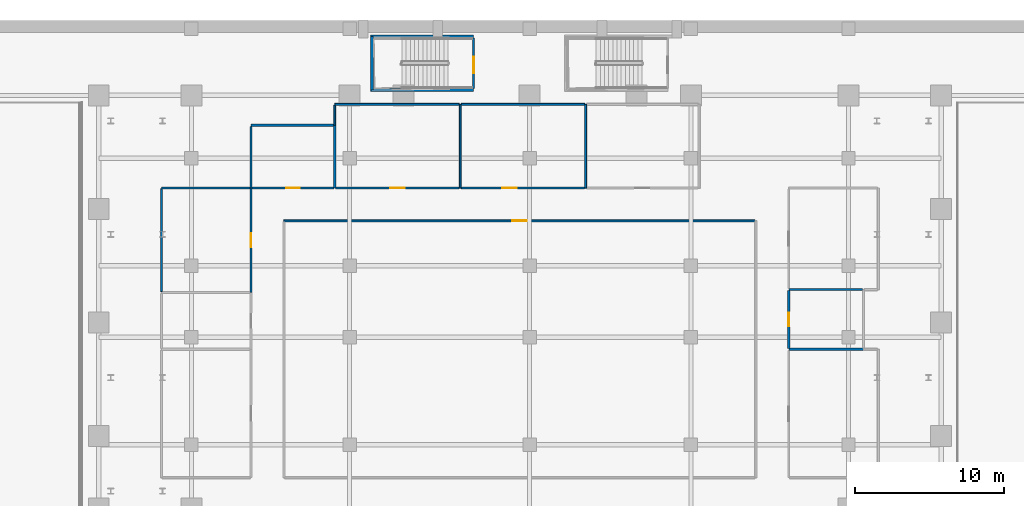
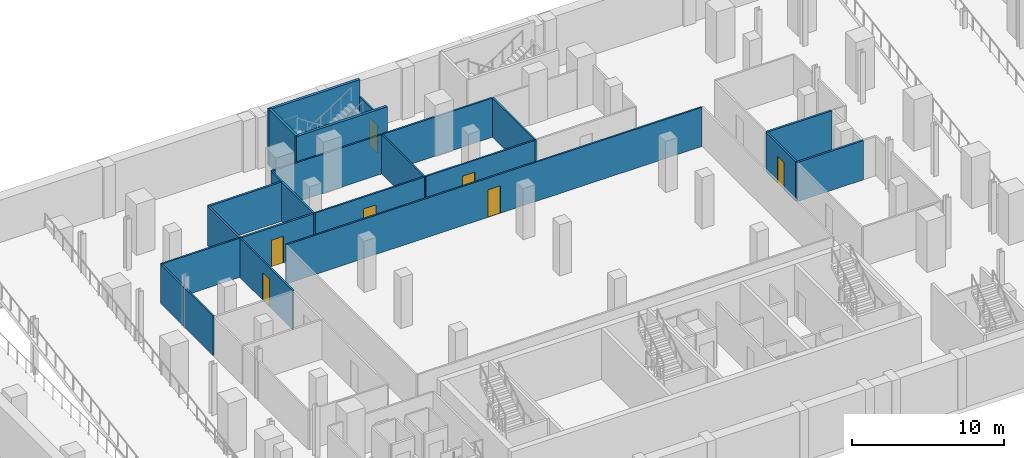
# One storey, part 10 of 18: 22 walls, 7 doors, 7 openings.
"""IFC4 building model written with IfcOpenShell, lengths in metres."""

from ifc_helpers import new_model, si_unit, direction, frame, frame_2d, origin, place, context, subcontext, project, spatial, rectangle, extrude, material, layer, layer_set, type_object, element, fill, save


model = new_model("IFC4")

# Units and contexts
model_context = context("Model", 3, precision=1e-05, world=origin(), true_north=direction((0.0, 1.0)))
body_context = subcontext(model_context, "Body", "Model", "MODEL_VIEW")
ifc_project = project(units=[si_unit("LENGTHUNIT", "METRE"), si_unit("AREAUNIT", "SQUARE_METRE"), si_unit("VOLUMEUNIT", "CUBIC_METRE"), si_unit("PLANEANGLEUNIT", "RADIAN"), si_unit("MASSUNIT", "GRAM", prefix="KILO")], contexts=[model_context])

# Site, building, storey
site_placement = place(None, origin())
site = spatial("IfcSite", under=ifc_project, at=site_placement, CompositionType="ELEMENT")
building_placement = place(site_placement, origin())
building = spatial("IfcBuilding", under=site, at=building_placement, Name="Ndaravel Arena Tower", CompositionType="ELEMENT")
storey_placement = place(building_placement, frame((0.0, 0.0, -4.5)))
storey = spatial("IfcBuildingStorey", under=building, at=storey_placement, Name="B01", CompositionType="ELEMENT", Elevation=-4.5)

# Wall, opening, door
ifc_material_1 = material(Name="Gypsum", Category="gypsum")
ifc_layer_1 = layer(ifc_material_1, 0.125)
ifc_layer_set_1 = layer_set([ifc_layer_1], Name="Gypsum")
wall_type_1 = type_object("IfcWallType", Name="WALL-PART-125", PredefinedType="PARTITIONING", material=ifc_layer_set_1)
wall_1_placement = place(storey_placement, frame((57.735107421875, 34.60009765625, 0.0), z_axis=(0.0, 0.0, 1.0), x_axis=(-1.0, 0.0, 0.0)))
wall_1 = element("IfcWall", 1, at=wall_1_placement, inside=storey, type_object=wall_type_1, Name="B01 Interior Partition 002", PredefinedType="PARTITIONING", context=body_context, shape_type="SweptSolid", body=[
    extrude(rectangle(XDim=31.53515625, YDim=0.125, at=frame_2d((15.767578125, 0.0))), origin(), (0.0, 0.0, 1.0), 3.143310546875),
])
opening_1_placement = place(wall_1_placement, frame((15.29248046875, 0.0, 0.0)))
opening_1 = element("IfcOpeningElement", 2, at=opening_1_placement, cuts=wall_1, Name="Opening ID-01", PredefinedType="OPENING", context=body_context, shape_type="SweptSolid", body=[
    extrude(rectangle(XDim=0.949951171875, YDim=2.199951171875, at=frame_2d((0.47509765625, 1.10009765625))), frame((0.0, 0.0625, 0.0), z_axis=(0.0, -1.0, 0.0), x_axis=(1.0, 0.0, 0.0)), (0.0, 0.0, 1.0), 0.125),
])
ifc_material_2 = material(Name="Timber", Category="wood")
door_type_1 = type_object("IfcDoorType", Name="DT-03-OFFICE-950", OperationType="SINGLE_SWING_LEFT", PredefinedType="DOOR", material=ifc_material_2)
door_1_placement = place(opening_1_placement, origin())
door_1 = element("IfcDoor", 3, at=door_1_placement, inside=storey, type_object=door_type_1, Name="B01 Athlete Practice & Warm-Up Court Door", OperationType="SINGLE_SWING_RIGHT", OverallHeight=2.199951171875, OverallWidth=0.949951171875, PredefinedType="DOOR", context=body_context, shape_type="SweptSolid", body=[
    extrude(rectangle(XDim=0.949951171875, YDim=2.199951171875, at=frame_2d((0.47509765625, 1.10009765625))), frame((0.0, 0.02490234375, 0.0), z_axis=(0.0, -1.0, 0.0), x_axis=(1.0, 0.0, 0.0)), (0.0, 0.0, 1.0), 0.050048828125),
])
fill(opening_1, door_1)

wall_2_placement = place(storey_placement, frame((24.0, 29.800048828125, 0.0), z_axis=(0.0, 0.0, 1.0), x_axis=(0.0, 1.0, 0.0)))
wall_2 = element("IfcWall", 4, at=wall_2_placement, inside=storey, type_object=wall_type_1, Name="B01 Interior Partition 012", PredefinedType="PARTITIONING", context=body_context, shape_type="SweptSolid", body=[
    extrude(rectangle(XDim=7.0, YDim=0.125, at=frame_2d((3.5, 0.0))), origin(), (0.0, 0.0, 1.0), 3.143310546875),
])
opening_2_placement = place(wall_2_placement, frame((3.02490234375, 0.0, 0.0)))
opening_2 = element("IfcOpeningElement", 5, at=opening_2_placement, cuts=wall_2, Name="Opening ID-01", PredefinedType="OPENING", context=body_context, shape_type="SweptSolid", body=[
    extrude(rectangle(XDim=0.949951171875, YDim=2.199951171875, at=frame_2d((0.47509765625, 1.10009765625))), frame((0.0, 0.0625, 0.0), z_axis=(0.0, -1.0, 0.0), x_axis=(1.0, 0.0, 0.0)), (0.0, 0.0, 1.0), 0.125),
])
door_2_placement = place(opening_2_placement, origin())
door_2 = element("IfcDoor", 6, at=door_2_placement, inside=storey, type_object=door_type_1, Name="B01 Visiting Team B Locker & Changing Room Door", OperationType="SINGLE_SWING_LEFT", OverallHeight=2.199951171875, OverallWidth=0.949951171875, PredefinedType="DOOR", context=body_context, shape_type="SweptSolid", body=[
    extrude(rectangle(XDim=0.949951171875, YDim=2.199951171875, at=frame_2d((0.47509765625, 1.10009765625))), frame((0.0, 0.02490234375, 0.0), z_axis=(0.0, -1.0, 0.0), x_axis=(1.0, 0.0, 0.0)), (0.0, 0.0, 1.0), 0.050048828125),
])
fill(opening_2, door_2)

# Walls
wall_3_placement = place(storey_placement, frame((23.93505859375, 36.800048828125, 0.0), z_axis=(0.0, 0.0, 1.0), x_axis=(-1.0, 0.0, 0.0)))
element("IfcWall", 7, at=wall_3_placement, inside=storey, type_object=wall_type_1, Name="B01 Interior Partition 013", PredefinedType="PARTITIONING", context=body_context, shape_type="SweptSolid", body=[
    extrude(rectangle(XDim=5.93505859375, YDim=0.125, at=frame_2d((2.967529296875, 0.0))), origin(), (0.0, 0.0, 1.0), 3.143310546875),
])
wall_4_placement = place(storey_placement, frame((18.0, 36.735107421875, 0.0), z_axis=(0.0, 0.0, 1.0), x_axis=(0.0, -1.0, 0.0)))
element("IfcWall", 8, at=wall_4_placement, inside=storey, type_object=wall_type_1, Name="B01 Interior Partition 014", PredefinedType="PARTITIONING", context=body_context, shape_type="SweptSolid", body=[
    extrude(rectangle(XDim=6.8701171875, YDim=0.125, at=frame_2d((3.43505859375, 0.0))), origin(), (0.0, 0.0, 1.0), 3.143310546875),
])
wall_5_placement = place(storey_placement, frame((38.0, 36.800048828125, 0.0), z_axis=(0.0, 0.0, 1.0), x_axis=(0.0, 1.0, 0.0)))
element("IfcWall", 9, at=wall_5_placement, inside=storey, type_object=wall_type_1, Name="B01 Interior Partition 019", PredefinedType="PARTITIONING", context=body_context, shape_type="SweptSolid", body=[
    extrude(rectangle(XDim=5.599853515625, YDim=0.125, at=frame_2d((2.7998046875, 0.0))), origin(), (0.0, 0.0, 1.0), 3.143310546875),
])
wall_6_placement = place(storey_placement, frame((37.93505859375, 42.39990234375, 0.0), z_axis=(0.0, 0.0, 1.0), x_axis=(-1.0, 0.0, 0.0)))
element("IfcWall", 10, at=wall_6_placement, inside=storey, type_object=wall_type_1, Name="B01 Interior Partition 020", PredefinedType="PARTITIONING", context=body_context, shape_type="SweptSolid", body=[
    extrude(rectangle(XDim=8.3349609375, YDim=0.125, at=frame_2d((4.16748046875, 0.0))), origin(), (0.0, 0.0, 1.0), 3.143310546875),
])
wall_7_placement = place(storey_placement, frame((29.60009765625, 42.3349609375, 0.0), z_axis=(0.0, 0.0, 1.0), x_axis=(0.0, -1.0, 0.0)))
element("IfcWall", 11, at=wall_7_placement, inside=storey, type_object=wall_type_1, Name="B01 Interior Partition 021", PredefinedType="PARTITIONING", context=body_context, shape_type="SweptSolid", body=[
    extrude(rectangle(XDim=1.3349609375, YDim=0.125, at=frame_2d((0.66748046875, 0.0))), origin(), (0.0, 0.0, 1.0), 3.143310546875),
])

# Wall, opening, door
wall_8_placement = place(storey_placement, frame((29.6650390625, 36.800048828125, 0.0), z_axis=(0.0, 0.0, 1.0), x_axis=(1.0, 0.0, 0.0)))
wall_8 = element("IfcWall", 12, at=wall_8_placement, inside=storey, type_object=wall_type_1, Name="B01 Interior Partition 022", PredefinedType="PARTITIONING", context=body_context, shape_type="SweptSolid", body=[
    extrude(rectangle(XDim=8.27001953125, YDim=0.125, at=frame_2d((4.135009765625, 0.0))), origin(), (0.0, 0.0, 1.0), 3.143310546875),
])
opening_3_placement = place(wall_8_placement, frame((3.659912109375, 0.0, 0.0)))
opening_3 = element("IfcOpeningElement", 13, at=opening_3_placement, cuts=wall_8, Name="Opening ID-01", PredefinedType="OPENING", context=body_context, shape_type="SweptSolid", body=[
    extrude(rectangle(XDim=0.949951171875, YDim=2.199951171875, at=frame_2d((0.47509765625, 1.10009765625))), frame((0.0, 0.0625, 0.0), z_axis=(0.0, -1.0, 0.0), x_axis=(1.0, 0.0, 0.0)), (0.0, 0.0, 1.0), 0.125),
])
door_3_placement = place(opening_3_placement, origin())
door_3 = element("IfcDoor", 14, at=door_3_placement, inside=storey, type_object=door_type_1, Name="B01 Team C Locker & Briefing Room Door", OperationType="SINGLE_SWING_LEFT", OverallHeight=2.199951171875, OverallWidth=0.949951171875, PredefinedType="DOOR", context=body_context, shape_type="SweptSolid", body=[
    extrude(rectangle(XDim=0.949951171875, YDim=2.199951171875, at=frame_2d((0.47509765625, 1.10009765625))), frame((0.0, 0.02490234375, 0.0), z_axis=(0.0, -1.0, 0.0), x_axis=(1.0, 0.0, 0.0)), (0.0, 0.0, 1.0), 0.050048828125),
])
fill(opening_3, door_3)

# Walls
wall_9_placement = place(storey_placement, frame((46.39990234375, 36.800048828125, 0.0), z_axis=(0.0, 0.0, 1.0), x_axis=(0.0, 1.0, 0.0)))
element("IfcWall", 15, at=wall_9_placement, inside=storey, type_object=wall_type_1, Name="B01 Interior Partition 023", PredefinedType="PARTITIONING", context=body_context, shape_type="SweptSolid", body=[
    extrude(rectangle(XDim=5.599853515625, YDim=0.125, at=frame_2d((2.7998046875, 0.0))), origin(), (0.0, 0.0, 1.0), 3.143310546875),
])
wall_10_placement = place(storey_placement, frame((46.3349609375, 42.39990234375, 0.0), z_axis=(0.0, 0.0, 1.0), x_axis=(-1.0, 0.0, 0.0)))
element("IfcWall", 16, at=wall_10_placement, inside=storey, type_object=wall_type_1, Name="B01 Interior Partition 024", PredefinedType="PARTITIONING", context=body_context, shape_type="SweptSolid", body=[
    extrude(rectangle(XDim=8.27001953125, YDim=0.125, at=frame_2d((4.135009765625, 0.0))), origin(), (0.0, 0.0, 1.0), 3.143310546875),
])

# Wall, opening, door
wall_11_placement = place(storey_placement, frame((38.06494140625, 36.800048828125, 0.0), z_axis=(0.0, 0.0, 1.0), x_axis=(1.0, 0.0, 0.0)))
wall_11 = element("IfcWall", 17, at=wall_11_placement, inside=storey, type_object=wall_type_1, Name="B01 Interior Partition 025", PredefinedType="PARTITIONING", context=body_context, shape_type="SweptSolid", body=[
    extrude(rectangle(XDim=8.27001953125, YDim=0.125, at=frame_2d((4.135009765625, 0.0))), origin(), (0.0, 0.0, 1.0), 3.143310546875),
])
opening_4_placement = place(wall_11_placement, frame((2.760009765625, 0.0, 0.0)))
opening_4 = element("IfcOpeningElement", 18, at=opening_4_placement, cuts=wall_11, Name="Opening ID-01", PredefinedType="OPENING", context=body_context, shape_type="SweptSolid", body=[
    extrude(rectangle(XDim=0.949951171875, YDim=2.199951171875, at=frame_2d((0.47509765625, 1.10009765625))), frame((0.0, 0.0625, 0.0), z_axis=(0.0, -1.0, 0.0), x_axis=(1.0, 0.0, 0.0)), (0.0, 0.0, 1.0), 0.125),
])
door_4_placement = place(opening_4_placement, origin())
door_4 = element("IfcDoor", 19, at=door_4_placement, inside=storey, type_object=door_type_1, Name="B01 Team D Locker & Briefing Room Door", OperationType="SINGLE_SWING_RIGHT", OverallHeight=2.199951171875, OverallWidth=0.949951171875, PredefinedType="DOOR", context=body_context, shape_type="SweptSolid", body=[
    extrude(rectangle(XDim=0.949951171875, YDim=2.199951171875, at=frame_2d((0.47509765625, 1.10009765625))), frame((0.0, 0.02490234375, 0.0), z_axis=(0.0, -1.0, 0.0), x_axis=(1.0, 0.0, 0.0)), (0.0, 0.0, 1.0), 0.050048828125),
])
fill(opening_4, door_4)

ifc_material_3 = material(Name="Concrete C40/50", Category="concrete")
ifc_layer_2 = layer(ifc_material_3, 0.1201171875)
ifc_layer_set_2 = layer_set([ifc_layer_2], Name="Concrete C40/50")
wall_type_2 = type_object("IfcWallType", Name="WALL-SHAFT-120", PredefinedType="SOLIDWALL", material=ifc_layer_set_2)
wall_12_placement = place(storey_placement, frame((38.89990234375, 46.8349609375, 0.0), z_axis=(0.0, 0.0, 1.0), x_axis=(0.0, -1.0, 0.0)))
wall_12 = element("IfcWall", 20, at=wall_12_placement, inside=storey, type_object=wall_type_2, Name="B01 ST-B3 Entry Wall", PredefinedType="SOLIDWALL", context=body_context, shape_type="SweptSolid", body=[
    extrude(rectangle(XDim=3.369873046875, YDim=0.1201171875, at=frame_2d((1.68505859375, 0.0))), origin(), (0.0, 0.0, 1.0), 3.143310546875),
])
opening_5_placement = place(wall_12_placement, frame((1.239990234375, 0.0, 0.0)))
opening_5 = element("IfcOpeningElement", 21, at=opening_5_placement, cuts=wall_12, Name="Opening FD-01", PredefinedType="OPENING", context=body_context, shape_type="SweptSolid", body=[
    extrude(rectangle(XDim=1.10009765625, YDim=2.199951171875, at=frame_2d((0.550048828125, 1.10009765625))), frame((0.0, 0.06005859375, 0.0), z_axis=(0.0, -1.0, 0.0), x_axis=(1.0, 0.0, 0.0)), (0.0, 0.0, 1.0), 0.1201171875),
])
ifc_material_4 = material(Name="Steel S355", Category="steel")
door_type_2 = type_object("IfcDoorType", Name="DT-01-STAIR-1100", OperationType="SINGLE_SWING_LEFT", PredefinedType="DOOR", material=ifc_material_4)
door_5_placement = place(opening_5_placement, origin())
door_5 = element("IfcDoor", 22, at=door_5_placement, inside=storey, type_object=door_type_2, Name="B01 ST-B3 Fire Exit Stair Door", OperationType="SINGLE_SWING_RIGHT", OverallHeight=2.199951171875, OverallWidth=1.10009765625, PredefinedType="DOOR", context=body_context, shape_type="SweptSolid", body=[
    extrude(rectangle(XDim=1.10009765625, YDim=2.199951171875, at=frame_2d((0.550048828125, 1.10009765625))), frame((0.0, 0.02490234375, 0.0), z_axis=(0.0, -1.0, 0.0), x_axis=(1.0, 0.0, 0.0)), (0.0, 0.0, 1.0), 0.050048828125),
])
fill(opening_5, door_5)

# Walls
ifc_material_5 = material(Name="Concrete C40/50", Category="concrete")
ifc_layer_3 = layer(ifc_material_5, 0.199951171875)
ifc_layer_set_3 = layer_set([ifc_layer_3], Name="Concrete C40/50")
wall_type_3 = type_object("IfcWallType", Name="WALL-SHAFT-200", PredefinedType="SOLIDWALL", material=ifc_layer_set_3)
for number, where, z_axis, x_axis, name in (
    (23, (38.89990234375, 46.93994140625, 0.0), (0.0, 0.0, 1.0), (-1.0, 0.0, 0.0), "B01 ST-B3 Shaft Wall Left"),
    (24, (38.89990234375, 43.360107421875, 0.0), (0.0, 0.0, 1.0), (-1.0, 0.0, 0.0), "B01 ST-B3 Shaft Wall Right"),
):
    element("IfcWall", number, at=place(storey_placement, frame(where, z_axis=z_axis, x_axis=x_axis)), inside=storey, type_object=wall_type_3, Name=name, PredefinedType="SOLIDWALL", context=body_context, shape_type="SweptSolid", body=[
        extrude(rectangle(XDim=6.89990234375, YDim=0.199951171875, at=frame_2d((3.449951171875, 0.0))), origin(), (0.0, 0.0, 1.0), 4.5),
    ])
wall_13_placement = place(storey_placement, frame((32.10009765625, 46.929931640625, 0.0), z_axis=(0.0, 0.0, 1.0), x_axis=(0.0, -1.0, 0.0)))
element("IfcWall", 25, at=wall_13_placement, inside=storey, type_object=wall_type_3, Name="B01 ST-B3 Shaft Wall Far", PredefinedType="SOLIDWALL", context=body_context, shape_type="SweptSolid", body=[
    extrude(rectangle(XDim=3.559814453125, YDim=0.199951171875, at=frame_2d((1.77978515625, 0.0))), origin(), (0.0, 0.0, 1.0), 4.5),
])
ifc_material_6 = material(Name="Masonry", Category="masonry")
ifc_layer_4 = layer(ifc_material_6, 0.14990234375)
ifc_layer_set_4 = layer_set([ifc_layer_4], Name="Masonry")
wall_type_4 = type_object("IfcWallType", Name="WALL-WET-150", PredefinedType="PARTITIONING", material=ifc_layer_set_4)
wall_14_placement = place(storey_placement, frame((29.60009765625, 36.800048828125, 0.0), z_axis=(0.0, 0.0, 1.0), x_axis=(0.0, 1.0, 0.0)))
element("IfcWall", 26, at=wall_14_placement, inside=storey, type_object=wall_type_4, Name="B01 Interior Partition 015", PredefinedType="PARTITIONING", context=body_context, shape_type="SweptSolid", body=[
    extrude(rectangle(XDim=4.199951171875, YDim=0.14990234375, at=frame_2d((2.10009765625, 0.0))), origin(), (0.0, 0.0, 1.0), 3.143310546875),
])
wall_15_placement = place(storey_placement, frame((29.534912109375, 41.0, 0.0), z_axis=(0.0, 0.0, 1.0), x_axis=(-1.0, 0.0, 0.0)))
element("IfcWall", 27, at=wall_15_placement, inside=storey, type_object=wall_type_4, Name="B01 Interior Partition 016", PredefinedType="PARTITIONING", context=body_context, shape_type="SweptSolid", body=[
    extrude(rectangle(XDim=5.534912109375, YDim=0.14990234375, at=frame_2d((2.767578125, 0.0))), origin(), (0.0, 0.0, 1.0), 3.143310546875),
])
wall_16_placement = place(storey_placement, frame((24.0, 40.93505859375, 0.0), z_axis=(0.0, 0.0, 1.0), x_axis=(0.0, -1.0, 0.0)))
element("IfcWall", 28, at=wall_16_placement, inside=storey, type_object=wall_type_4, Name="B01 Interior Partition 017", PredefinedType="PARTITIONING", context=body_context, shape_type="SweptSolid", body=[
    extrude(rectangle(XDim=4.135009765625, YDim=0.14990234375, at=frame_2d((2.0673828125, 0.0))), origin(), (0.0, 0.0, 1.0), 3.143310546875),
])

# Wall, opening, door
wall_17_placement = place(storey_placement, frame((24.06494140625, 36.800048828125, 0.0), z_axis=(0.0, 0.0, 1.0), x_axis=(1.0, 0.0, 0.0)))
wall_17 = element("IfcWall", 29, at=wall_17_placement, inside=storey, type_object=wall_type_4, Name="B01 Interior Partition 018", PredefinedType="PARTITIONING", context=body_context, shape_type="SweptSolid", body=[
    extrude(rectangle(XDim=5.469970703125, YDim=0.14990234375, at=frame_2d((2.73486328125, 0.0))), origin(), (0.0, 0.0, 1.0), 3.143310546875),
])
opening_6_placement = place(wall_17_placement, frame((2.284912109375, 0.0, 0.0)))
opening_6 = element("IfcOpeningElement", 30, at=opening_6_placement, cuts=wall_17, Name="Opening WD-01", PredefinedType="OPENING", context=body_context, shape_type="SweptSolid", body=[
    extrude(rectangle(XDim=0.89990234375, YDim=2.14990234375, at=frame_2d((0.449951171875, 1.074951171875))), frame((0.0, 0.074951171875, 0.0), z_axis=(0.0, -1.0, 0.0), x_axis=(1.0, 0.0, 0.0)), (0.0, 0.0, 1.0), 0.14990234375),
])
ifc_material_7 = material(Name="Timber", Category="wood")
door_type_3 = type_object("IfcDoorType", Name="DT-05-WC-900", OperationType="SINGLE_SWING_LEFT", PredefinedType="DOOR", material=ifc_material_7)
door_6_placement = place(opening_6_placement, origin())
door_6 = element("IfcDoor", 31, at=door_6_placement, inside=storey, type_object=door_type_3, Name="B01 Visiting Team B Washroom WC Door", OperationType="SINGLE_SWING_RIGHT", OverallHeight=2.14990234375, OverallWidth=0.89990234375, PredefinedType="DOOR", context=body_context, shape_type="SweptSolid", body=[
    extrude(rectangle(XDim=0.89990234375, YDim=2.14990234375, at=frame_2d((0.449951171875, 1.074951171875))), frame((0.0, 0.02490234375, 0.0), z_axis=(0.0, -1.0, 0.0), x_axis=(1.0, 0.0, 0.0)), (0.0, 0.0, 1.0), 0.050048828125),
])
fill(opening_6, door_6)

# Walls
wall_18_placement = place(storey_placement, frame((65.0, 26.0, 0.0), z_axis=(0.0, 0.0, 1.0), x_axis=(-1.0, 0.0, 0.0)))
element("IfcWall", 32, at=wall_18_placement, inside=storey, type_object=wall_type_4, Name="B01 Interior Partition 031", PredefinedType="PARTITIONING", context=body_context, shape_type="SweptSolid", body=[
    extrude(rectangle(XDim=5.0, YDim=0.14990234375, at=frame_2d((2.5, 0.0))), origin(), (0.0, 0.0, 1.0), 3.143310546875),
])
wall_19_placement = place(storey_placement, frame((64.93505859375, 30.0, 0.0), z_axis=(0.0, 0.0, 1.0), x_axis=(-1.0, 0.0, 0.0)))
element("IfcWall", 33, at=wall_19_placement, inside=storey, type_object=wall_type_4, Name="B01 Interior Partition 035", PredefinedType="PARTITIONING", context=body_context, shape_type="SweptSolid", body=[
    extrude(rectangle(XDim=4.93505859375, YDim=0.14990234375, at=frame_2d((2.467529296875, 0.0))), origin(), (0.0, 0.0, 1.0), 3.143310546875),
])

# Wall, opening, door
wall_20_placement = place(storey_placement, frame((60.0, 29.93505859375, 0.0), z_axis=(0.0, 0.0, 1.0), x_axis=(0.0, -1.0, 0.0)))
wall_20 = element("IfcWall", 34, at=wall_20_placement, inside=storey, type_object=wall_type_4, Name="B01 Interior Partition 036", PredefinedType="PARTITIONING", context=body_context, shape_type="SweptSolid", body=[
    extrude(rectangle(XDim=3.8701171875, YDim=0.14990234375, at=frame_2d((1.93505859375, 0.0))), origin(), (0.0, 0.0, 1.0), 3.143310546875),
])
opening_7_placement = place(wall_20_placement, frame((1.485107421875, 0.0, 0.0)))
opening_7 = element("IfcOpeningElement", 35, at=opening_7_placement, cuts=wall_20, Name="Opening WD-01", PredefinedType="OPENING", context=body_context, shape_type="SweptSolid", body=[
    extrude(rectangle(XDim=0.89990234375, YDim=2.14990234375, at=frame_2d((0.449951171875, 1.074951171875))), frame((0.0, 0.074951171875, 0.0), z_axis=(0.0, -1.0, 0.0), x_axis=(1.0, 0.0, 0.0)), (0.0, 0.0, 1.0), 0.14990234375),
])
door_7_placement = place(opening_7_placement, origin())
door_7 = element("IfcDoor", 36, at=door_7_placement, inside=storey, type_object=door_type_3, Name="B01 Athlete Accessible WC Door", OperationType="SINGLE_SWING_LEFT", OverallHeight=2.14990234375, OverallWidth=0.89990234375, PredefinedType="DOOR", context=body_context, shape_type="SweptSolid", body=[
    extrude(rectangle(XDim=0.89990234375, YDim=2.14990234375, at=frame_2d((0.449951171875, 1.074951171875))), frame((0.0, 0.02490234375, 0.0), z_axis=(0.0, -1.0, 0.0), x_axis=(1.0, 0.0, 0.0)), (0.0, 0.0, 1.0), 0.050048828125),
])
fill(opening_7, door_7)

save(model, "model.ifc")
